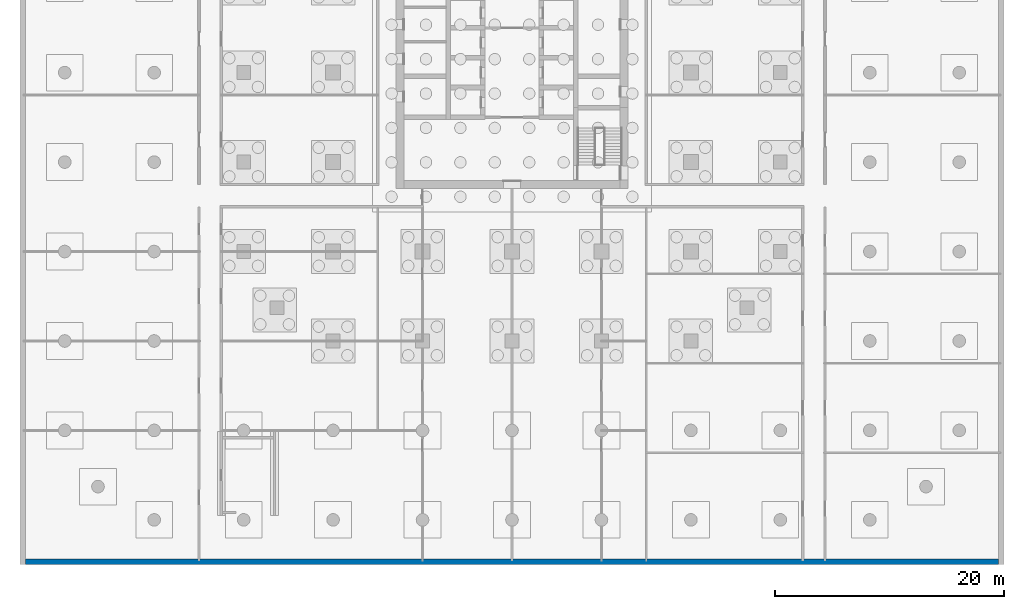
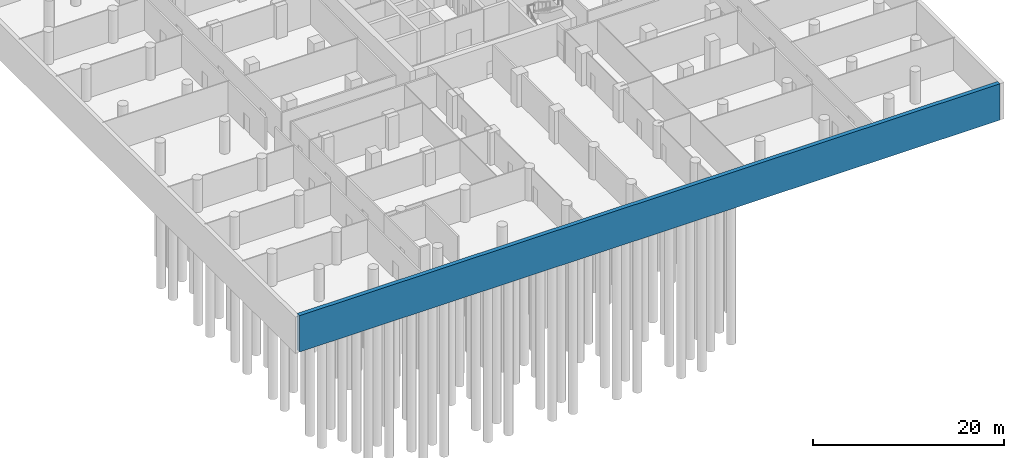
# One storey, part 4 of 16: 1 wall.
"""IFC4 building model written with IfcOpenShell, lengths in metres."""

from ifc_helpers import new_model, si_unit, direction, frame, frame_2d, origin, place, context, subcontext, project, spatial, rectangle, extrude, material, layer, layer_set, type_object, element, save


model = new_model("IFC4")

# Units and contexts
model_context = context("Model", 3, precision=1e-05, world=origin(), true_north=direction((0.0, 1.0)))
body_context = subcontext(model_context, "Body", "Model", "MODEL_VIEW")
ifc_project = project(units=[si_unit("LENGTHUNIT", "METRE"), si_unit("AREAUNIT", "SQUARE_METRE"), si_unit("VOLUMEUNIT", "CUBIC_METRE"), si_unit("PLANEANGLEUNIT", "RADIAN"), si_unit("MASSUNIT", "GRAM", prefix="KILO")], contexts=[model_context])

# Site, building, storey
site_placement = place(None, origin())
site = spatial("IfcSite", under=ifc_project, at=site_placement, CompositionType="ELEMENT")
building_placement = place(site_placement, origin())
building = spatial("IfcBuilding", under=site, at=building_placement, Name="Ludao Terraces", CompositionType="ELEMENT")
storey_placement = place(building_placement, frame((0.0, 0.0, -9.0)))
storey = spatial("IfcBuildingStorey", under=building, at=storey_placement, Name="B2", CompositionType="ELEMENT", Elevation=-9.0)

# Wall
ifc_material = material(Name="Concrete C40", Category="concrete")
ifc_layer = layer(ifc_material, 0.5)
ifc_layer_set = layer_set([ifc_layer], Name="Basement wall 500 C40")
wall_type = type_object("IfcWallType", Name="Basement wall 500 C40", PredefinedType="SOLIDWALL", material=ifc_layer_set)
wall_placement = place(storey_placement, frame((42.60009765625, 22.35009765625, -0.5), z_axis=(0.0, 0.0, 1.0), x_axis=(1.0, 0.0, 0.0)))
element("IfcWall", 1, at=wall_placement, inside=storey, type_object=wall_type, Name="Basement wall S B2", PredefinedType="SOLIDWALL", context=body_context, shape_type="SweptSolid", body=[
    extrude(rectangle(XDim=84.7998046875, YDim=0.5, at=frame_2d((42.39990234375, 0.0))), origin(), (0.0, 0.0, 1.0), 4.64990234375),
])

save(model, "model.ifc")
